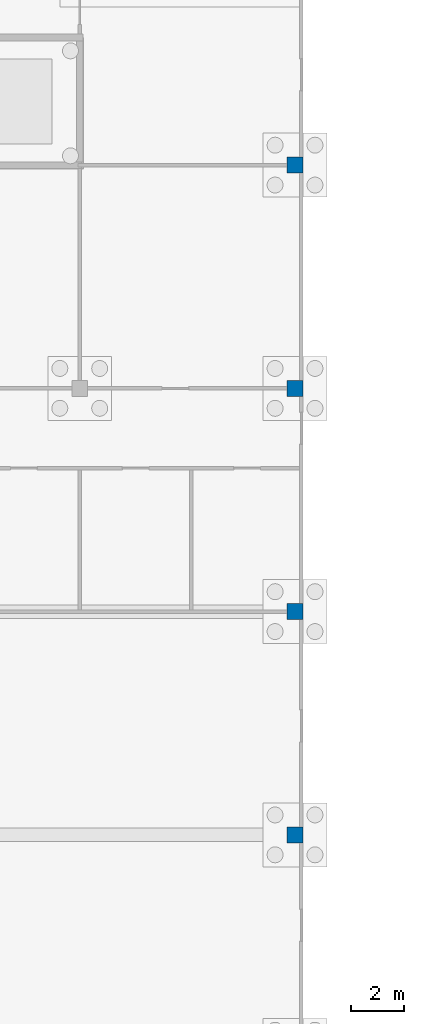
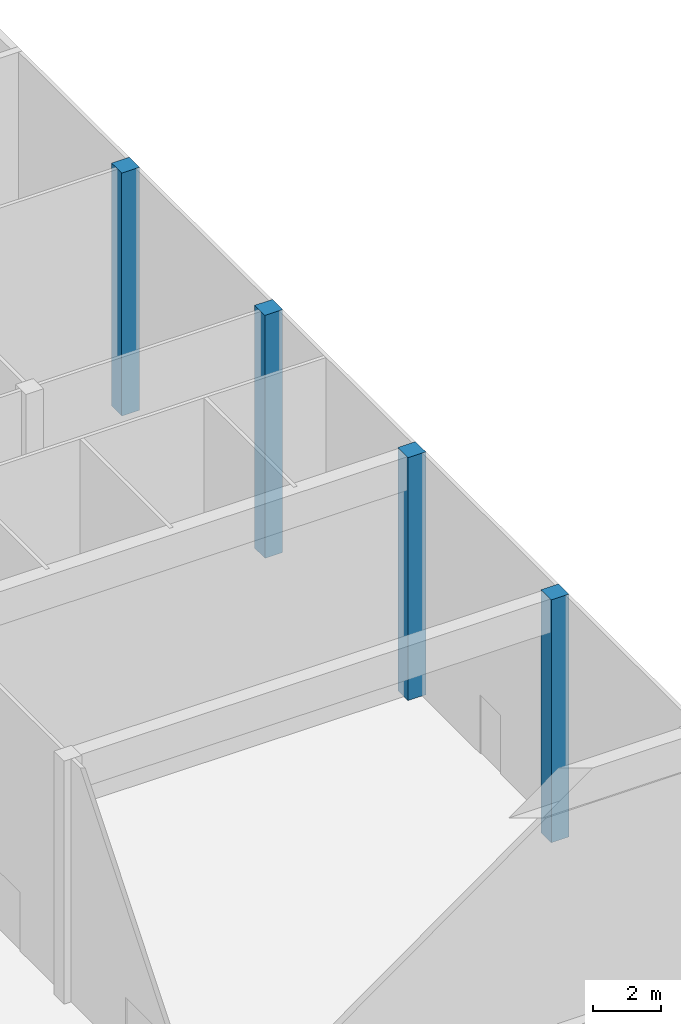
# One storey, part 12 of 72: 4 columns.
"""IFC4 building model written with IfcOpenShell, lengths in metres."""

from ifc_helpers import new_model, si_unit, direction, frame, origin, origin_2d, place, context, subcontext, project, spatial, rectangle, extrude, material, material_profile, profile_set, type_object, element, save


model = new_model("IFC4")

# Units and contexts
model_context = context("Model", 3, precision=1e-05, world=origin(), true_north=direction((0.0, 1.0)))
body_context = subcontext(model_context, "Body", "Model", "MODEL_VIEW")
ifc_project = project(units=[si_unit("LENGTHUNIT", "METRE"), si_unit("AREAUNIT", "SQUARE_METRE"), si_unit("VOLUMEUNIT", "CUBIC_METRE"), si_unit("PLANEANGLEUNIT", "RADIAN"), si_unit("MASSUNIT", "GRAM", prefix="KILO")], contexts=[model_context])

# Site, building, storey
site_placement = place(None, origin())
site = spatial("IfcSite", under=ifc_project, at=site_placement, CompositionType="ELEMENT")
building_placement = place(site_placement, origin())
building = spatial("IfcBuilding", under=site, at=building_placement, Name="Candeia Pilgrim Tower and Theatre", CompositionType="ELEMENT")
storey_placement = place(building_placement, origin())
storey = spatial("IfcBuildingStorey", under=building, at=storey_placement, Name="L00", CompositionType="ELEMENT", Elevation=0.0)

# Columns
ifc_material = material(Name="Concrete C40/50", Category="concrete")
ifc_material_profile = material_profile(ifc_material, rectangle(XDim=0.60009765625, YDim=0.60009765625, at=origin_2d()))
ifc_profile_set = profile_set([ifc_material_profile], Name="Concrete C40/50")
column_type = type_object("IfcColumnType", Name="Theatre column 600x600", PredefinedType="COLUMN", material=ifc_profile_set)
for number, where, z_axis, x_axis, name in (
    (1, (242.89990234375, 74.39990234375, 0.0), (0.0, 0.0, 1.0), (1.0, 0.0, 0.0), "Column TC-B9 L00"),
    (2, (242.89990234375, 82.800048828125, 0.0), (0.0, 0.0, 1.0), (1.0, 0.0, 0.0), "Column TC-C9 L00"),
    (3, (242.89990234375, 91.199951171875, 0.0), (0.0, 0.0, 1.0), (1.0, 0.0, 0.0), "Column TC-D9 L00"),
    (4, (242.89990234375, 99.60009765625, 0.0), (0.0, 0.0, 1.0), (1.0, 0.0, 0.0), "Column TC-E9 L00"),
):
    element("IfcColumn", number, at=place(storey_placement, frame(where, z_axis=z_axis, x_axis=x_axis)), inside=storey, type_object=column_type, Name=name, PredefinedType="COLUMN", context=body_context, shape_type="SweptSolid", body=[
        extrude(rectangle(XDim=0.60009765625, YDim=0.60009765625, at=origin_2d()), origin(), (0.0, 0.0, 1.0), 8.699951171875),
    ])

save(model, "model.ifc")
